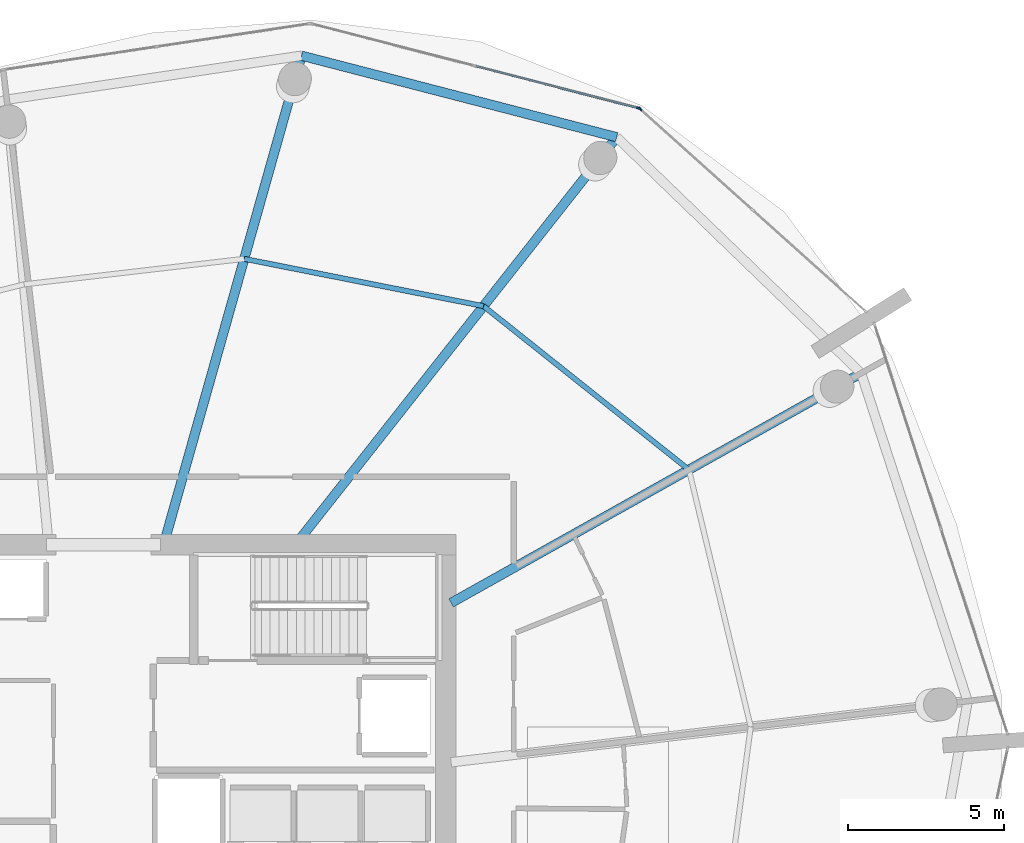
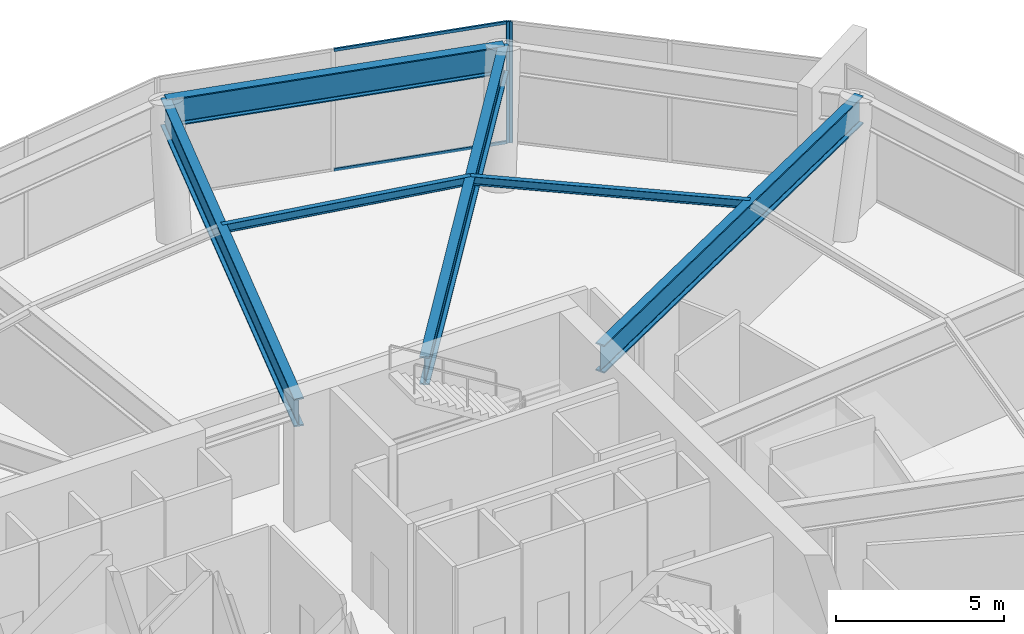
# One storey, part 13 of 22: 6 beams, 4 members, 2 elements without a shape of their own.
"""IFC4 building model written with IfcOpenShell, lengths in metres."""

from ifc_helpers import new_model, si_unit, direction, frame, origin, origin_2d, place, context, subcontext, project, spatial, rectangle, i_section, extrude, material, layer, layer_set, material_profile, profile_set, type_object, element, aggregate, save


model = new_model("IFC4")

# Units and contexts
model_context = context("Model", 3, precision=1e-05, world=origin(), true_north=direction((0.0, 1.0)))
body_context = subcontext(model_context, "Body", "Model", "MODEL_VIEW")
ifc_project = project(units=[si_unit("LENGTHUNIT", "METRE"), si_unit("AREAUNIT", "SQUARE_METRE"), si_unit("VOLUMEUNIT", "CUBIC_METRE"), si_unit("PLANEANGLEUNIT", "RADIAN"), si_unit("MASSUNIT", "GRAM", prefix="KILO")], contexts=[model_context])

# Site, building, storey
site_placement = place(None, origin())
site = spatial("IfcSite", under=ifc_project, at=site_placement, CompositionType="ELEMENT")
building_placement = place(site_placement, origin())
building = spatial("IfcBuilding", under=site, at=building_placement, Name="Kazma Halo Residences", CompositionType="ELEMENT")
storey_placement = place(building_placement, frame((0.0, 0.0, 231.89990234375)))
storey = spatial("IfcBuildingStorey", under=building, at=storey_placement, Name="L58", CompositionType="ELEMENT", Elevation=231.89990234375)

# Beams
ifc_material_1 = material(Name="Steel S355", Category="steel")
ifc_material_profile_1 = material_profile(ifc_material_1, i_section(OverallWidth=0.1650390625, OverallDepth=0.31005859375, WebThickness=0.005859375, FlangeThickness=0.009765625, FilletRadius=0.011962890625, at=origin_2d()), Name="W310x38.7")
ifc_profile_set_1 = profile_set([ifc_material_profile_1], Name="Steel S355")
beam_type_1 = type_object("IfcBeamType", Name="BM-SEC-W310B", PredefinedType="JOIST", material=ifc_profile_set_1)
beam_1_placement = place(storey_placement, frame((67.159912109375, 52.72998046875, 4.2451171875), z_axis=(-0.782289582274, 0.622914929557, 0.0), x_axis=(-0.622914929557, -0.782289582274, 0.0)))
element("IfcBeam", 1, at=beam_1_placement, inside=storey, type_object=beam_type_1, Name="L58 circumferential floor joist 01", PredefinedType="JOIST", context=body_context, shape_type="SweptSolid", body=[
    extrude(i_section(OverallWidth=0.1650390625, OverallDepth=0.31005859375, WebThickness=0.005859375, FlangeThickness=0.009765625, FilletRadius=0.011962890625, at=origin_2d()), origin(), (0.0, 0.0, 1.0), 8.40380859375),
])
beam_2_placement = place(storey_placement, frame((60.585693359375, 57.96484375, 4.2451171875), z_axis=(-0.98102450123, 0.193883800218, 0.0), x_axis=(-0.193883800218, -0.98102450123, 0.0)))
element("IfcBeam", 2, at=beam_2_placement, inside=storey, type_object=beam_type_1, Name="L58 circumferential floor joist 02", PredefinedType="JOIST", context=body_context, shape_type="SweptSolid", body=[
    extrude(i_section(OverallWidth=0.1650390625, OverallDepth=0.31005859375, WebThickness=0.005859375, FlangeThickness=0.009765625, FilletRadius=0.011962890625, at=origin_2d()), origin(), (0.0, 0.0, 1.0), 7.8046875),
])
ifc_material_profile_2 = material_profile(ifc_material_1, i_section(OverallWidth=0.302001953125, OverallDepth=1.01806640625, WebThickness=0.021484375, FlangeThickness=0.049072265625, FilletRadius=0.028076171875, at=origin_2d()), Name="W1000x443")
ifc_profile_set_2 = profile_set([ifc_material_profile_2], Name="Steel S355")
beam_type_2 = type_object("IfcBeamType", Name="BM-TRANS-W1000A", PredefinedType="BEAM", material=ifc_profile_set_2)
beam_3_placement = place(storey_placement, frame((59.550048828125, 48.46826171875, 3.89111328125), z_axis=(0.872498817764, 0.488616222613, 0.0), x_axis=(-0.488616222613, 0.872498817764, 0.0)))
element("IfcBeam", 3, at=beam_3_placement, inside=storey, type_object=beam_type_2, Name="L58 podium radial transfer girder 01", PredefinedType="BEAM", context=body_context, shape_type="SweptSolid", body=[
    extrude(i_section(OverallWidth=0.302001953125, OverallDepth=1.01806640625, WebThickness=0.021484375, FlangeThickness=0.049072265625, FilletRadius=0.028076171875, at=origin_2d()), origin(), (0.0, 0.0, 1.0), 15.03759765625),
])
beam_4_placement = place(storey_placement, frame((54.700927734375, 50.5, 3.89111328125), z_axis=(0.619089170555, 0.785320698124, 0.0), x_axis=(-0.785320698124, 0.619089170555, 0.0)))
element("IfcBeam", 4, at=beam_4_placement, inside=storey, type_object=beam_type_2, Name="L58 podium radial transfer girder 02", PredefinedType="BEAM", context=body_context, shape_type="SweptSolid", body=[
    extrude(i_section(OverallWidth=0.302001953125, OverallDepth=1.01806640625, WebThickness=0.021484375, FlangeThickness=0.049072265625, FilletRadius=0.028076171875, at=origin_2d()), origin(), (0.0, 0.0, 1.0), 16.388916015625),
])
beam_5_placement = place(storey_placement, frame((50.397216796875, 50.5, 3.89111328125), z_axis=(0.271443580085, 0.962454353635, 0.0), x_axis=(-0.962454353635, 0.271443580085, 0.0)))
element("IfcBeam", 5, at=beam_5_placement, inside=storey, type_object=beam_type_2, Name="L58 podium radial transfer girder 03", PredefinedType="BEAM", context=body_context, shape_type="SweptSolid", body=[
    extrude(i_section(OverallWidth=0.302001953125, OverallDepth=1.01806640625, WebThickness=0.021484375, FlangeThickness=0.049072265625, FilletRadius=0.028076171875, at=origin_2d()), origin(), (0.0, 0.0, 1.0), 16.083251953125),
])
ifc_material_profile_3 = material_profile(ifc_material_1, i_section(OverallWidth=0.300048828125, OverallDepth=1.0, WebThickness=0.01904296875, FlangeThickness=0.0400390625, FilletRadius=0.02587890625, at=origin_2d()), Name="W1000x371")
ifc_profile_set_3 = profile_set([ifc_material_profile_3], Name="Steel S355")
beam_type_3 = type_object("IfcBeamType", Name="BM-TRANS-W1000B", PredefinedType="BEAM", material=ifc_profile_set_3)
beam_6_placement = place(storey_placement, frame((64.84716796875, 63.37060546875, 3.900146484375), z_axis=(-0.968126042852, 0.250463500639, 0.0), x_axis=(-0.250463500639, -0.968126042852, 0.0)))
element("IfcBeam", 6, at=beam_6_placement, inside=storey, type_object=beam_type_3, Name="L58 perimeter ring beam 02", PredefinedType="BEAM", context=body_context, shape_type="SweptSolid", body=[
    extrude(i_section(OverallWidth=0.300048828125, OverallDepth=1.0, WebThickness=0.01904296875, FlangeThickness=0.0400390625, FilletRadius=0.02587890625, at=origin_2d()), origin(), (0.0, 0.0, 1.0), 10.416259765625),
])

# Curtain wall, member
ifc_material_2 = material(Name="Aluminium AW-6063 T6 and Triple-Silver Low-E Glass", Category="aluminium")
ifc_layer = layer(ifc_material_2, 0.139892578125)
ifc_layer_set = layer_set([ifc_layer], Name="Aluminium AW-6063 T6 and Triple-Silver Low-E Glass")
curtain_wall_type = type_object("IfcCurtainWallType", Name="CW-SYS-5", PredefinedType="NOTDEFINED", material=ifc_layer_set)
curtain_wall_1_placement = place(storey_placement, origin())
curtain_wall_1 = element("IfcCurtainWall", 7, at=curtain_wall_1_placement, inside=storey, type_object=curtain_wall_type, Name="L58 unitised curtain wall B01", PredefinedType="NOTDEFINED")
ifc_material_3 = material(Name="Aluminium AW-6063 T6", Category="aluminium")
ifc_material_profile_4 = material_profile(ifc_material_3, rectangle(XDim=0.06005859375, YDim=0.139892578125, at=origin_2d()), Name="CWM-60x140")
ifc_profile_set_4 = profile_set([ifc_material_profile_4], Name="Aluminium AW-6063 T6")
member_type_1 = type_object("IfcMemberType", Name="CW-SYS-5-MUL", PredefinedType="MULLION", material=ifc_profile_set_4)
member_1_placement = place(storey_placement, frame((65.59716796875, 64.2734375, 0.0), z_axis=(0.0, 0.0, 1.0), x_axis=(-0.667800416694, -0.744340381454, 0.0)))
member_1 = element("IfcMember", 8, at=member_1_placement, type_object=member_type_1, Name="CWS-5 mullion 3", PredefinedType="MULLION", context=body_context, shape_type="SweptSolid", body=[
    extrude(rectangle(XDim=0.06005859375, YDim=0.139892578125, at=origin_2d()), origin(), (0.0, 0.0, 1.0), 4.400146484375),
])
aggregate(curtain_wall_1, [member_1])

# Curtain wall, members
curtain_wall_2_placement = place(storey_placement, origin())
curtain_wall_2 = element("IfcCurtainWall", 9, at=curtain_wall_2_placement, inside=storey, type_object=curtain_wall_type, Name="L58 unitised curtain wall B02", PredefinedType="NOTDEFINED")
member_2_placement = place(storey_placement, frame((65.545654296875, 64.301025390625, 0.0), z_axis=(0.0, 0.0, 1.0), x_axis=(-0.249566561617, -0.96835764639, 0.0)))
member_2 = element("IfcMember", 10, at=member_2_placement, type_object=member_type_1, Name="CWS-5 mullion 1", PredefinedType="MULLION", context=body_context, shape_type="SweptSolid", body=[
    extrude(rectangle(XDim=0.06005859375, YDim=0.139892578125, at=origin_2d()), origin(), (0.0, 0.0, 1.0), 4.400146484375),
])
ifc_material_profile_5 = material_profile(ifc_material_3, rectangle(XDim=0.06005859375, YDim=0.10498046875, at=origin_2d()), Name="CWT-60x105")
ifc_profile_set_5 = profile_set([ifc_material_profile_5], Name="Aluminium AW-6063 T6")
member_type_2 = type_object("IfcMemberType", Name="CW-SYS-5-TRN", PredefinedType="USERDEFINED", material=ifc_profile_set_5)
member_3_placement = place(storey_placement, frame((65.5166015625, 64.30859375, 0.030029296875), z_axis=(-0.968367487148, 0.249528374808, 0.0), x_axis=(-0.249528374808, -0.968367487148, 0.0)))
member_3 = element("IfcMember", 11, at=member_3_placement, type_object=member_type_2, Name="CWS-5 transom 1.1", ObjectType="TRANSOM", PredefinedType="USERDEFINED", context=body_context, shape_type="SweptSolid", body=[
    extrude(rectangle(XDim=0.06005859375, YDim=0.10498046875, at=origin_2d()), origin(), (0.0, 0.0, 1.0), 5.343017578125),
])
member_4_placement = place(storey_placement, frame((65.5166015625, 64.30859375, 4.3701171875), z_axis=(-0.968367487148, 0.249528374808, 0.0), x_axis=(-0.249528374808, -0.968367487148, 0.0)))
member_4 = element("IfcMember", 12, at=member_4_placement, type_object=member_type_2, Name="CWS-5 transom 1.2", ObjectType="TRANSOM", PredefinedType="USERDEFINED", context=body_context, shape_type="SweptSolid", body=[
    extrude(rectangle(XDim=0.06005859375, YDim=0.10498046875, at=origin_2d()), origin(), (0.0, 0.0, 1.0), 5.343017578125),
])
aggregate(curtain_wall_2, [member_2, member_3, member_4])

save(model, "model.ifc")
